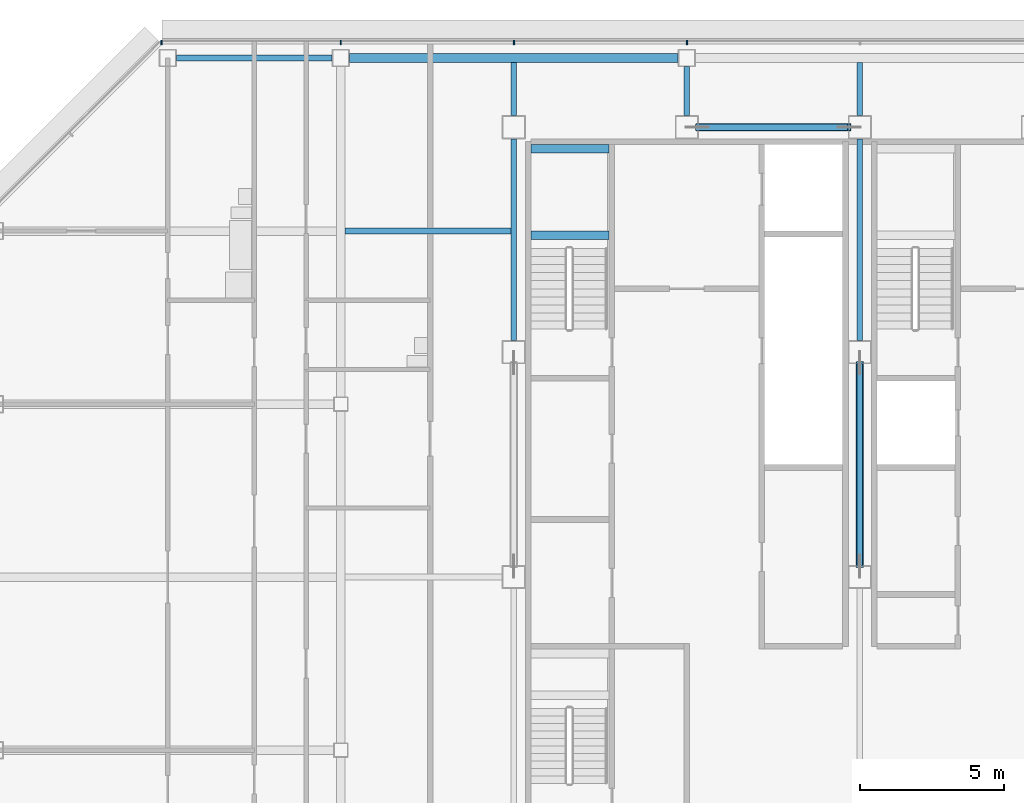
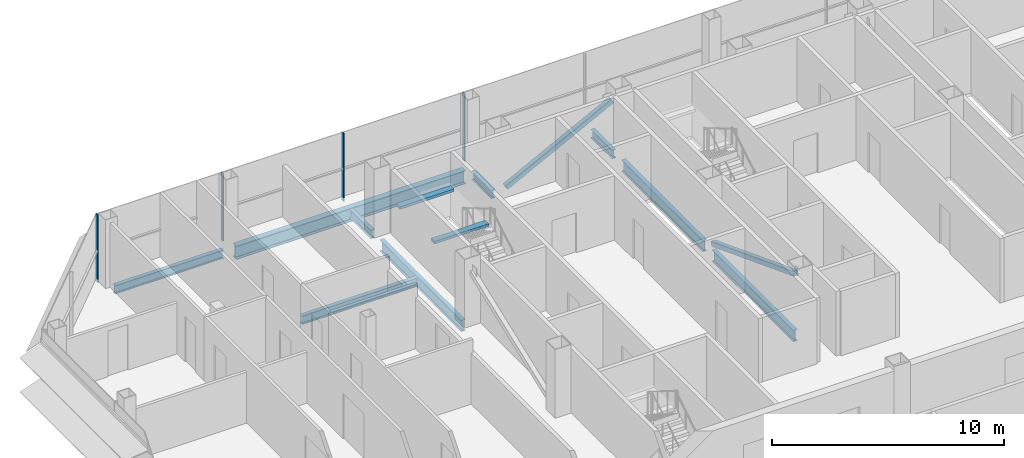
# One storey, part 13 of 28: 11 beams, 6 members, 1 element without a shape of its own.
"""IFC4 building model written with IfcOpenShell, lengths in metres."""

from ifc_helpers import new_model, si_unit, direction, frame, origin, origin_2d, place, context, subcontext, project, spatial, rectangle, hollow_rectangle, i_section, extrude, material, material_profile, profile_set, type_object, element, aggregate, save


model = new_model("IFC4")

# Units and contexts
model_context = context("Model", 3, precision=1e-05, world=origin(), true_north=direction((0.0, 1.0)))
body_context = subcontext(model_context, "Body", "Model", "MODEL_VIEW")
ifc_project = project(units=[si_unit("LENGTHUNIT", "METRE"), si_unit("AREAUNIT", "SQUARE_METRE"), si_unit("VOLUMEUNIT", "CUBIC_METRE"), si_unit("PLANEANGLEUNIT", "RADIAN"), si_unit("MASSUNIT", "GRAM", prefix="KILO")], contexts=[model_context])

# Site, building, storey
site_placement = place(None, origin())
site = spatial("IfcSite", under=ifc_project, at=site_placement, CompositionType="ELEMENT")
building_placement = place(site_placement, origin())
building = spatial("IfcBuilding", under=site, at=building_placement, Name="Sorahane Residences", CompositionType="ELEMENT")
storey_placement = place(building_placement, frame((0.0, 0.0, 254.0)))
storey = spatial("IfcBuildingStorey", under=building, at=storey_placement, Name="L60", CompositionType="ELEMENT", Elevation=254.0)

# Members
ifc_material_1 = material(Name="Steel Q355B", Category="steel")
ifc_material_profile_1 = material_profile(ifc_material_1, hollow_rectangle(XDim=0.25, YDim=0.25, WallThickness=0.013916015625, InnerFilletRadius=0.007080078125, OuterFilletRadius=0.02099609375, at=origin_2d()), Name="RHS 250x250x14")
ifc_profile_set_1 = profile_set([ifc_material_profile_1], Name="Steel Q355B")
member_type_1 = type_object("IfcMemberType", Name="Core brace RHS 250x250x14 Q355B", PredefinedType="BRACE", material=ifc_profile_set_1)
member_1_placement = place(storey_placement, frame((12.36572265625, 45.60009765625, 0.107177734375), z_axis=(0.888873413778, 0.0, 0.458152872171), x_axis=(0.0, 1.0, 0.0)))
element("IfcMember", 1, at=member_1_placement, inside=storey, type_object=member_type_1, Name="Core brace L60 y45.6-2", PredefinedType="BRACE", context=body_context, shape_type="SweptSolid", body=[
    extrude(hollow_rectangle(XDim=0.25, YDim=0.25, WallThickness=0.013916015625, InnerFilletRadius=0.007080078125, OuterFilletRadius=0.02099609375, at=origin_2d()), origin(), (0.0, 0.0, 1.0), 5.92724609375),
])
member_2_placement = place(storey_placement, frame((18.0, 37.4267578125, 0.11474609375), z_axis=(0.0, -0.933896025874, 0.357544700502), x_axis=(1.0, 0.0, 0.0)))
element("IfcMember", 2, at=member_2_placement, inside=storey, type_object=member_type_1, Name="Core brace L60 x18-1", PredefinedType="BRACE", context=body_context, shape_type="SweptSolid", body=[
    extrude(hollow_rectangle(XDim=0.25, YDim=0.25, WallThickness=0.013916015625, InnerFilletRadius=0.007080078125, OuterFilletRadius=0.02099609375, at=origin_2d()), origin(), (0.0, 0.0, 1.0), 7.552734375),
])

# Curtain wall, members
ifc_material_2 = material(Name="Dark low-e glass and black anodised aluminium", Category="aluminium")
curtain_wall_type = type_object("IfcCurtainWallType", Name="Curtain wall CW-1 Typical unitised wall", PredefinedType="NOTDEFINED", material=ifc_material_2)
curtain_wall_placement = place(storey_placement, origin())
curtain_wall = element("IfcCurtainWall", 3, at=curtain_wall_placement, inside=storey, type_object=curtain_wall_type, Name="CW-1 curtain wall L60 N1", PredefinedType="NOTDEFINED")
ifc_material_3 = material(Name="Black anodised aluminium", Category="aluminium")
ifc_material_profile_2 = material_profile(ifc_material_3, rectangle(XDim=0.159912109375, YDim=0.050048828125, at=origin_2d()), Name="Curtain wall mullion CW-1 black anodised aluminium 50x160")
ifc_profile_set_2 = profile_set([ifc_material_profile_2], Name="Black anodised aluminium")
member_type_2 = type_object("IfcMemberType", Name="Curtain wall mullion CW-1 black anodised aluminium 50x160", PredefinedType="MULLION", material=ifc_profile_set_2)
member_3_placement = place(storey_placement, frame((12.0, 48.5400390625, -0.179931640625), z_axis=(0.0, 0.0, 1.0), x_axis=(0.0, 1.0, 0.0)))
member_3 = element("IfcMember", 4, at=member_3_placement, type_object=member_type_2, Name="CW-1 mullion L60 N1.7", PredefinedType="MULLION", context=body_context, shape_type="SweptSolid", body=[
    extrude(rectangle(XDim=0.159912109375, YDim=0.050048828125, at=origin_2d()), origin(), (0.0, 0.0, 1.0), 3.559814453125),
])
member_4_placement = place(storey_placement, frame((6.0, 48.5400390625, -0.179931640625), z_axis=(0.0, 0.0, 1.0), x_axis=(0.0, 1.0, 0.0)))
member_4 = element("IfcMember", 5, at=member_4_placement, type_object=member_type_2, Name="CW-1 mullion L60 N1.8", PredefinedType="MULLION", context=body_context, shape_type="SweptSolid", body=[
    extrude(rectangle(XDim=0.159912109375, YDim=0.050048828125, at=origin_2d()), origin(), (0.0, 0.0, 1.0), 3.559814453125),
])
member_5_placement = place(storey_placement, frame((0.0, 48.5400390625, -0.179931640625), z_axis=(0.0, 0.0, 1.0), x_axis=(0.0, 1.0, 0.0)))
member_5 = element("IfcMember", 6, at=member_5_placement, type_object=member_type_2, Name="CW-1 mullion L60 N1.9", PredefinedType="MULLION", context=body_context, shape_type="SweptSolid", body=[
    extrude(rectangle(XDim=0.159912109375, YDim=0.050048828125, at=origin_2d()), origin(), (0.0, 0.0, 1.0), 3.559814453125),
])
member_6_placement = place(storey_placement, frame((-6.2236328125, 48.5400390625, -0.179931640625), z_axis=(0.0, 0.0, 1.0), x_axis=(0.0, 1.0, 0.0)))
member_6 = element("IfcMember", 7, at=member_6_placement, type_object=member_type_2, Name="CW-1 mullion L60 N1.10", PredefinedType="MULLION", context=body_context, shape_type="SweptSolid", body=[
    extrude(rectangle(XDim=0.159912109375, YDim=0.050048828125, at=origin_2d()), origin(), (0.0, 0.0, 1.0), 3.559814453125),
])
aggregate(curtain_wall, [member_3, member_4, member_5, member_6])

# Beams
ifc_material_4 = material(Name="Concrete C40", Category="concrete")
ifc_material_profile_3 = material_profile(ifc_material_4, rectangle(XDim=0.300048828125, YDim=0.139892578125, at=origin_2d()), Name="300x140")
ifc_profile_set_3 = profile_set([ifc_material_profile_3], Name="Concrete C40")
beam_type_1 = type_object("IfcBeamType", Name="RC landing beam 300 x 140 Concrete C40", PredefinedType="BEAM", material=ifc_profile_set_3)
for number, where, z_axis, x_axis, name in (
    (8, (6.60009765625, 41.85009765625, 1.530029296875), (1.0, 0.0, 0.0), (0.0, 1.0, 0.0), "Landing beam"),
    (9, (6.60009765625, 44.85009765625, 1.530029296875), (1.0, 0.0, 0.0), (0.0, 1.0, 0.0), "Landing beam"),
):
    element("IfcBeam", number, at=place(storey_placement, frame(where, z_axis=z_axis, x_axis=x_axis)), inside=storey, type_object=beam_type_1, Name=name, PredefinedType="BEAM", context=body_context, shape_type="SweptSolid", body=[
        extrude(rectangle(XDim=0.300048828125, YDim=0.139892578125, at=origin_2d()), origin(), (0.0, 0.0, 1.0), 2.699951171875),
    ])
ifc_material_5 = material(Name="Steel Q355B", Category="steel")
ifc_material_profile_4 = material_profile(ifc_material_5, i_section(OverallWidth=0.199951171875, OverallDepth=0.449951171875, WebThickness=0.009033203125, FlangeThickness=0.013916015625, FilletRadius=0.02001953125, at=origin_2d()), Name="HN 450x200x9x14")
ifc_profile_set_4 = profile_set([ifc_material_profile_4], Name="Steel Q355B")
beam_type_2 = type_object("IfcBeamType", Name="Steel floor beam HN 450x200x9x14 Q355B", PredefinedType="BEAM", material=ifc_profile_set_4)
beam_1_placement = place(storey_placement, frame((-5.699951171875, 48.0, -0.405029296875), z_axis=(1.0, 0.0, 0.0), x_axis=(0.0, 1.0, 0.0)))
element("IfcBeam", 10, at=beam_1_placement, inside=storey, type_object=beam_type_2, Name="Beam L60 015", PredefinedType="BEAM", context=body_context, shape_type="SweptSolid", body=[
    extrude(i_section(OverallWidth=0.199951171875, OverallDepth=0.449951171875, WebThickness=0.009033203125, FlangeThickness=0.013916015625, FilletRadius=0.02001953125, at=origin_2d()), origin(), (0.0, 0.0, 1.0), 5.39990234375),
])
beam_2_placement = place(storey_placement, frame((6.0, 46.0, -0.405029296875), z_axis=(0.0, 1.0, 0.0), x_axis=(-1.0, 0.0, 0.0)))
element("IfcBeam", 11, at=beam_2_placement, inside=storey, type_object=beam_type_2, Name="Beam L60 033", PredefinedType="BEAM", context=body_context, shape_type="SweptSolid", body=[
    extrude(i_section(OverallWidth=0.199951171875, OverallDepth=0.449951171875, WebThickness=0.009033203125, FlangeThickness=0.013916015625, FilletRadius=0.02001953125, at=origin_2d()), origin(), (0.0, 0.0, 1.0), 1.85009765625),
])
beam_3_placement = place(storey_placement, frame((12.0, 46.0, -0.405029296875), z_axis=(0.0, 1.0, 0.0), x_axis=(-1.0, 0.0, 0.0)))
element("IfcBeam", 12, at=beam_3_placement, inside=storey, type_object=beam_type_2, Name="Beam L60 035", PredefinedType="BEAM", context=body_context, shape_type="SweptSolid", body=[
    extrude(i_section(OverallWidth=0.199951171875, OverallDepth=0.449951171875, WebThickness=0.009033203125, FlangeThickness=0.013916015625, FilletRadius=0.02001953125, at=origin_2d()), origin(), (0.0, 0.0, 1.0), 1.699951171875),
])
beam_4_placement = place(storey_placement, frame((18.0, 46.0, -0.405029296875), z_axis=(0.0, 1.0, 0.0), x_axis=(-1.0, 0.0, 0.0)))
element("IfcBeam", 13, at=beam_4_placement, inside=storey, type_object=beam_type_2, Name="Beam L60 041", PredefinedType="BEAM", context=body_context, shape_type="SweptSolid", body=[
    extrude(i_section(OverallWidth=0.199951171875, OverallDepth=0.449951171875, WebThickness=0.009033203125, FlangeThickness=0.013916015625, FilletRadius=0.02001953125, at=origin_2d()), origin(), (0.0, 0.0, 1.0), 1.85009765625),
])
beam_5_placement = place(storey_placement, frame((0.14990234375, 42.0, -0.405029296875), z_axis=(1.0, 0.0, 0.0), x_axis=(0.0, 1.0, 0.0)))
element("IfcBeam", 14, at=beam_5_placement, inside=storey, type_object=beam_type_2, Name="Beam L60 090", PredefinedType="BEAM", context=body_context, shape_type="SweptSolid", body=[
    extrude(i_section(OverallWidth=0.199951171875, OverallDepth=0.449951171875, WebThickness=0.009033203125, FlangeThickness=0.013916015625, FilletRadius=0.02001953125, at=origin_2d()), origin(), (0.0, 0.0, 1.0), 5.75),
])
ifc_material_6 = material(Name="Steel Q355B", Category="steel")
ifc_material_profile_5 = material_profile(ifc_material_6, i_section(OverallWidth=0.199951171875, OverallDepth=0.60009765625, WebThickness=0.010986328125, FlangeThickness=0.01708984375, FilletRadius=0.02392578125, at=origin_2d()), Name="HN 600x200x11x17")
ifc_profile_set_5 = profile_set([ifc_material_profile_5], Name="Steel Q355B")
beam_type_3 = type_object("IfcBeamType", Name="Steel floor beam HN 600x200x11x17 Q355B", PredefinedType="BEAM", material=ifc_profile_set_5)
for number, where, z_axis, x_axis, name in (
    (15, (6.0, 38.199951171875, -0.47998046875), (0.0, 1.0, 0.0), (-1.0, 0.0, 0.0), "Beam L60 032"),
    (16, (18.0, 30.39990234375, -0.47998046875), (0.0, 1.0, 0.0), (-1.0, 0.0, 0.0), "Beam L60 039"),
    (17, (18.0, 38.199951171875, -0.47998046875), (0.0, 1.0, 0.0), (-1.0, 0.0, 0.0), "Beam L60 040"),
):
    element("IfcBeam", number, at=place(storey_placement, frame(where, z_axis=z_axis, x_axis=x_axis)), inside=storey, type_object=beam_type_3, Name=name, PredefinedType="BEAM", context=body_context, shape_type="SweptSolid", body=[
        extrude(i_section(OverallWidth=0.199951171875, OverallDepth=0.60009765625, WebThickness=0.010986328125, FlangeThickness=0.01708984375, FilletRadius=0.02392578125, at=origin_2d()), origin(), (0.0, 0.0, 1.0), 7.0),
    ])
ifc_material_7 = material(Name="Steel Q355B", Category="steel")
ifc_material_profile_6 = material_profile(ifc_material_7, i_section(OverallWidth=0.300048828125, OverallDepth=0.699951171875, WebThickness=0.012939453125, FlangeThickness=0.02392578125, FilletRadius=0.028076171875, at=origin_2d()), Name="HN 700x300x13x24")
ifc_profile_set_6 = profile_set([ifc_material_profile_6], Name="Steel Q355B")
beam_type_4 = type_object("IfcBeamType", Name="Steel floor beam HN 700x300x13x24 Q355B", PredefinedType="BEAM", material=ifc_profile_set_6)
beam_6_placement = place(storey_placement, frame((0.300048828125, 48.0, -0.530029296875), z_axis=(1.0, 0.0, 0.0), x_axis=(0.0, 1.0, 0.0)))
element("IfcBeam", 18, at=beam_6_placement, inside=storey, type_object=beam_type_4, Name="Beam L60 016", PredefinedType="BEAM", context=body_context, shape_type="SweptSolid", body=[
    extrude(i_section(OverallWidth=0.300048828125, OverallDepth=0.699951171875, WebThickness=0.012939453125, FlangeThickness=0.02392578125, FilletRadius=0.028076171875, at=origin_2d()), origin(), (0.0, 0.0, 1.0), 11.39990234375),
])

save(model, "model.ifc")
